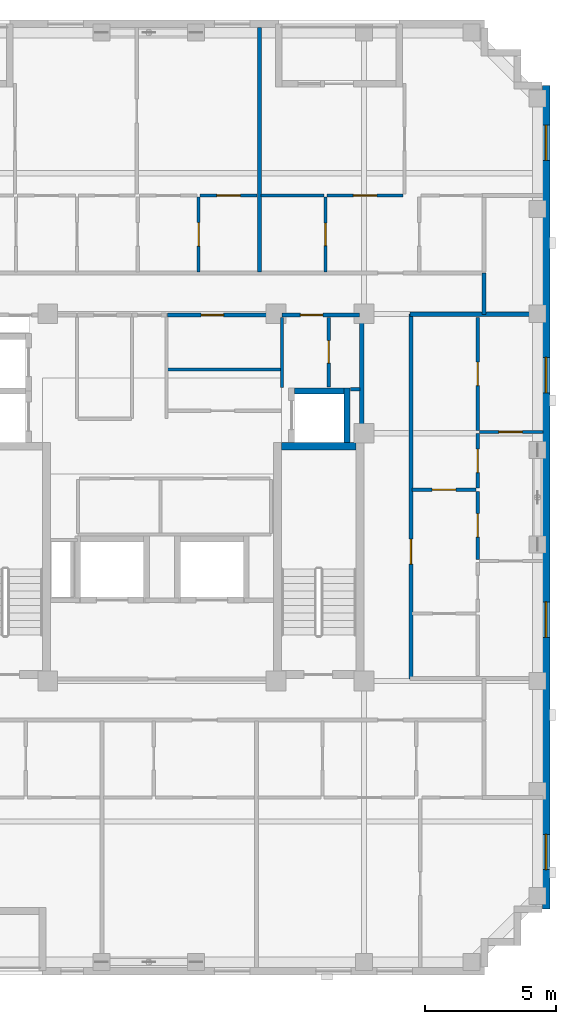
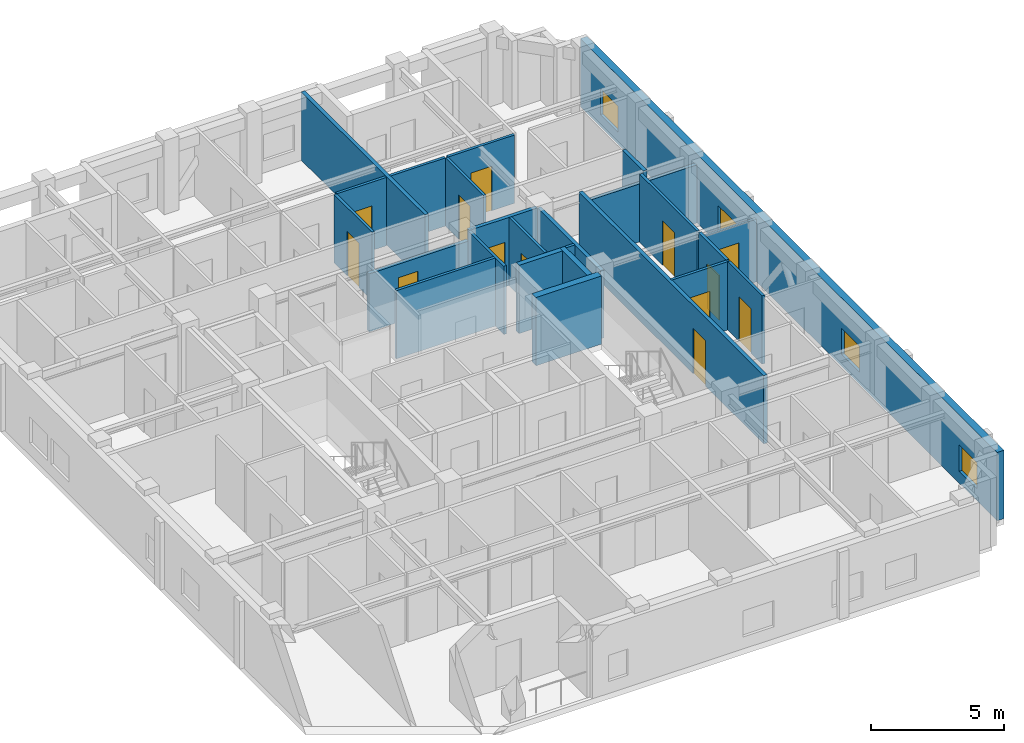
# One storey, part 6 of 11: 25 walls, 13 doors, 4 windows, 17 openings.
"""IFC4 building model written with IfcOpenShell, lengths in metres."""

from ifc_helpers import new_model, si_unit, derived_unit, direction, frame, frame_2d, origin, place, context, subcontext, project, spatial, rectangle, extrude, material, layer, layer_set, type_object, element, fill, save


model = new_model("IFC4")

# Units and contexts
model_context = context("Model", 3, precision=1e-05, world=origin(), true_north=direction((0.0, 1.0)))
body_context = subcontext(model_context, "Body", "Model", "MODEL_VIEW")
ifc_project = project(units=[si_unit("LENGTHUNIT", "METRE"), si_unit("AREAUNIT", "SQUARE_METRE"), si_unit("VOLUMEUNIT", "CUBIC_METRE"), si_unit("PLANEANGLEUNIT", "RADIAN"), si_unit("MASSUNIT", "GRAM", prefix="KILO"), derived_unit("THERMALTRANSMITTANCEUNIT", [(si_unit("MASSUNIT", "GRAM", prefix="KILO"), 1), (si_unit("TIMEUNIT", "SECOND"), -3), (si_unit("THERMODYNAMICTEMPERATUREUNIT", "KELVIN"), -1)])], contexts=[model_context])

# Site, building, storey
site_placement = place(None, origin())
site = spatial("IfcSite", under=ifc_project, at=site_placement, CompositionType="ELEMENT")
building_placement = place(site_placement, origin())
building = spatial("IfcBuilding", under=site, at=building_placement, Name="Korrvale Station Residences", CompositionType="ELEMENT")
storey_placement = place(building_placement, frame((0.0, 0.0, 254.699951171875)))
storey = spatial("IfcBuildingStorey", under=building, at=storey_placement, Name="L74", CompositionType="ELEMENT", Elevation=254.699951171875)

# Wall
ifc_material_1 = material(Name="Concrete C50/60", Category="concrete")
ifc_layer_1 = layer(ifc_material_1, 0.300048828125, Name="Concrete C50/60")
ifc_layer_set_1 = layer_set([ifc_layer_1], Name="Concrete C50/60")
wall_type_1 = type_object("IfcWallType", Name="WAL-CORE-300-C50", PredefinedType="SHEAR", material=ifc_layer_set_1)
wall_1_placement = place(storey_placement, frame((30.050048828125, 23.949951171875, 0.0), z_axis=(0.0, 0.0, 1.0), x_axis=(1.0, 0.0, 0.0)))
element("IfcWall", 1, at=wall_1_placement, inside=storey, type_object=wall_type_1, Name="L74 ST-2 Core Shear Wall North", PredefinedType="SHEAR", context=body_context, shape_type="SweptSolid", body=[
    extrude(rectangle(XDim=2.849853515625, YDim=0.300048828125, at=frame_2d((1.4248046875, 0.0))), origin(), (0.0, 0.0, 1.0), 3.14013671875),
])

# Wall, openings, windows
ifc_material_2 = material(Name="Precast concrete C45/55", Category="concrete")
ifc_layer_2 = layer(ifc_material_2, 0.300048828125, Name="Precast concrete C45/55")
ifc_layer_set_2 = layer_set([ifc_layer_2], Name="Precast concrete C45/55")
wall_type_2 = type_object("IfcWallType", Name="WAL-EXT-PC300", PredefinedType="SOLIDWALL", material=ifc_layer_set_2)
wall_2_placement = place(storey_placement, frame((40.14990234375, 37.699951171875, 0.0), z_axis=(0.0, 0.0, 1.0), x_axis=(0.0, -1.0, 0.0)))
wall_2 = element("IfcWall", 2, at=wall_2_placement, inside=storey, type_object=wall_type_2, Name="L74 East Exterior Precast Wall 1", PredefinedType="SOLIDWALL", context=body_context, shape_type="SweptSolid", body=[
    extrude(rectangle(XDim=31.39990234375, YDim=0.300048828125, at=frame_2d((15.699951171875, 0.0))), origin(), (0.0, 0.0, 1.0), 3.14013671875),
])
opening_1_placement = place(wall_2_placement, frame((28.5458984375, 0.0, 0.550048828125)))
opening_1 = element("IfcOpeningElement", 3, at=opening_1_placement, cuts=wall_2, Name="Opening W-10", PredefinedType="OPENING", context=body_context, shape_type="SweptSolid", body=[
    extrude(rectangle(XDim=1.35009765625, YDim=1.199951171875, at=frame_2d((0.675048828125, 0.60009765625))), frame((0.0, 0.16015625, 0.0), z_axis=(0.0, -1.0, 0.0), x_axis=(1.0, 0.0, 0.0)), (0.0, 0.0, 1.0), 0.320068359375),
])
opening_2_placement = place(wall_2_placement, frame((1.50390625, 0.0, 0.550048828125)))
opening_2 = element("IfcOpeningElement", 4, at=opening_2_placement, cuts=wall_2, Name="Opening W-10", PredefinedType="OPENING", context=body_context, shape_type="SweptSolid", body=[
    extrude(rectangle(XDim=1.35009765625, YDim=1.199951171875, at=frame_2d((0.675048828125, 0.60009765625))), frame((0.0, 0.16015625, 0.0), z_axis=(0.0, -1.0, 0.0), x_axis=(1.0, 0.0, 0.0)), (0.0, 0.0, 1.0), 0.320068359375),
])
opening_3_placement = place(wall_2_placement, frame((19.68310546875, 0.0, 0.550048828125)))
opening_3 = element("IfcOpeningElement", 5, at=opening_3_placement, cuts=wall_2, Name="Opening W-10", PredefinedType="OPENING", context=body_context, shape_type="SweptSolid", body=[
    extrude(rectangle(XDim=1.35009765625, YDim=1.199951171875, at=frame_2d((0.675048828125, 0.60009765625))), frame((0.0, 0.16015625, 0.0), z_axis=(0.0, -1.0, 0.0), x_axis=(1.0, 0.0, 0.0)), (0.0, 0.0, 1.0), 0.320068359375),
])
opening_4_placement = place(wall_2_placement, frame((10.366943359375, 0.0, 0.550048828125)))
opening_4 = element("IfcOpeningElement", 6, at=opening_4_placement, cuts=wall_2, Name="Opening W-10", PredefinedType="OPENING", context=body_context, shape_type="SweptSolid", body=[
    extrude(rectangle(XDim=1.35009765625, YDim=1.199951171875, at=frame_2d((0.675048828125, 0.60009765625))), frame((0.0, 0.16015625, 0.0), z_axis=(0.0, -1.0, 0.0), x_axis=(1.0, 0.0, 0.0)), (0.0, 0.0, 1.0), 0.320068359375),
])
ifc_material_3 = material(Name="Thermally broken aluminium frame with triple low-e glazing", Category="aluminium")
window_type = type_object("IfcWindowType", Name="WIN-W10", PartitioningType="SINGLE_PANEL", PredefinedType="WINDOW", material=ifc_material_3)
window_1_placement = place(opening_1_placement, origin())
window_1 = element("IfcWindow", 7, at=window_1_placement, inside=storey, type_object=window_type, Name="L74 Punched Window 05", OverallHeight=1.199951171875, OverallWidth=1.35009765625, PartitioningType="SINGLE_PANEL", PredefinedType="WINDOW", context=body_context, shape_type="SweptSolid", body=[
    extrude(rectangle(XDim=1.35009765625, YDim=1.199951171875, at=frame_2d((0.675048828125, 0.60009765625))), frame((0.0, 0.030029296875, 0.0), z_axis=(0.0, -1.0, 0.0), x_axis=(1.0, 0.0, 0.0)), (0.0, 0.0, 1.0), 0.06005859375),
])
fill(opening_1, window_1)
window_2_placement = place(opening_2_placement, origin())
window_2 = element("IfcWindow", 8, at=window_2_placement, inside=storey, type_object=window_type, Name="L74 Punched Window 11", OverallHeight=1.199951171875, OverallWidth=1.35009765625, PartitioningType="SINGLE_PANEL", PredefinedType="WINDOW", context=body_context, shape_type="SweptSolid", body=[
    extrude(rectangle(XDim=1.35009765625, YDim=1.199951171875, at=frame_2d((0.675048828125, 0.60009765625))), frame((0.0, 0.030029296875, 0.0), z_axis=(0.0, -1.0, 0.0), x_axis=(1.0, 0.0, 0.0)), (0.0, 0.0, 1.0), 0.06005859375),
])
fill(opening_2, window_2)
window_3_placement = place(opening_3_placement, origin())
window_3 = element("IfcWindow", 9, at=window_3_placement, inside=storey, type_object=window_type, Name="L74 Punched Window 16", OverallHeight=1.199951171875, OverallWidth=1.35009765625, PartitioningType="SINGLE_PANEL", PredefinedType="WINDOW", context=body_context, shape_type="SweptSolid", body=[
    extrude(rectangle(XDim=1.35009765625, YDim=1.199951171875, at=frame_2d((0.675048828125, 0.60009765625))), frame((0.0, 0.030029296875, 0.0), z_axis=(0.0, -1.0, 0.0), x_axis=(1.0, 0.0, 0.0)), (0.0, 0.0, 1.0), 0.06005859375),
])
fill(opening_3, window_3)
window_4_placement = place(opening_4_placement, origin())
window_4 = element("IfcWindow", 10, at=window_4_placement, inside=storey, type_object=window_type, Name="L74 Punched Window 17", OverallHeight=1.199951171875, OverallWidth=1.35009765625, PartitioningType="SINGLE_PANEL", PredefinedType="WINDOW", context=body_context, shape_type="SweptSolid", body=[
    extrude(rectangle(XDim=1.35009765625, YDim=1.199951171875, at=frame_2d((0.675048828125, 0.60009765625))), frame((0.0, 0.030029296875, 0.0), z_axis=(0.0, -1.0, 0.0), x_axis=(1.0, 0.0, 0.0)), (0.0, 0.0, 1.0), 0.06005859375),
])
fill(opening_4, window_4)

# Walls
ifc_material_4 = material(Name="Acoustic steel-stud gypsum board partition", Category="steel")
ifc_layer_3 = layer(ifc_material_4, 0.1201171875, Name="Acoustic steel-stud gypsum board partition")
ifc_layer_set_3 = layer_set([ifc_layer_3], Name="Acoustic steel-stud gypsum board partition")
wall_type_3 = type_object("IfcWallType", Name="WAL-PART-125", PredefinedType="PARTITIONING", material=ifc_layer_set_3)
wall_3_placement = place(storey_placement, frame((30.080078125, 26.179931640625, 0.0), z_axis=(0.0, 0.0, 1.0), x_axis=(0.0, 1.0, 0.0)))
element("IfcWall", 11, at=wall_3_placement, inside=storey, type_object=wall_type_3, Name="L74 Core Partition CW-CS-W", PredefinedType="PARTITIONING", context=body_context, shape_type="SweptSolid", body=[
    extrude(rectangle(XDim=2.68017578125, YDim=0.1201171875, at=frame_2d((1.340087890625, 0.0))), origin(), (0.0, 0.0, 1.0), 3.14013671875),
])
wall_4_placement = place(storey_placement, frame((32.679931640625, 26.1201171875, 0.0), z_axis=(0.0, 0.0, 1.0), x_axis=(1.0, 0.0, 0.0)))
element("IfcWall", 12, at=wall_4_placement, inside=storey, type_object=wall_type_3, Name="L74 Core Partition CW-CS-S", PredefinedType="PARTITIONING", context=body_context, shape_type="SweptSolid", body=[
    extrude(rectangle(XDim=0.380126953125, YDim=0.1201171875, at=frame_2d((0.18994140625, 0.0))), origin(), (0.0, 0.0, 1.0), 3.14013671875),
])

# Wall, opening, door
wall_5_placement = place(storey_placement, frame((31.860107421875, 26.199951171875, 0.0), z_axis=(0.0, 0.0, 1.0), x_axis=(0.0, 1.0, 0.0)))
wall_5 = element("IfcWall", 13, at=wall_5_placement, inside=storey, type_object=wall_type_3, Name="L74 Core Partition CW-CS-MID", PredefinedType="PARTITIONING", context=body_context, shape_type="SweptSolid", body=[
    extrude(rectangle(XDim=2.66015625, YDim=0.1201171875, at=frame_2d((1.330078125, 0.0))), origin(), (0.0, 0.0, 1.0), 3.14013671875),
])
opening_5_placement = place(wall_5_placement, frame((0.919921875, 0.0, 0.0)))
opening_5 = element("IfcOpeningElement", 14, at=opening_5_placement, cuts=wall_5, Name="Opening DB-860", PredefinedType="OPENING", context=body_context, shape_type="SweptSolid", body=[
    extrude(rectangle(XDim=0.860107421875, YDim=2.050048828125, at=frame_2d((0.43017578125, 1.02490234375))), frame((0.0, 0.070068359375, 0.0), z_axis=(0.0, -1.0, 0.0), x_axis=(1.0, 0.0, 0.0)), (0.0, 0.0, 1.0), 0.14013671875),
])
ifc_material_5 = material(Name="Moisture-resistant solid-core bathroom door", Category="timber")
door_type_1 = type_object("IfcDoorType", Name="DR-BATH-860", OperationType="NOTDEFINED", PredefinedType="DOOR", material=ifc_material_5)
door_1_placement = place(opening_5_placement, origin())
door_1 = element("IfcDoor", 15, at=door_1_placement, inside=storey, type_object=door_type_1, Name="L74 Metering Inner Door", OperationType="SINGLE_SWING_RIGHT", OverallHeight=2.050048828125, OverallWidth=0.860107421875, PredefinedType="DOOR", context=body_context, shape_type="SweptSolid", body=[
    extrude(rectangle(XDim=0.860107421875, YDim=2.050048828125, at=frame_2d((0.43017578125, 1.02490234375))), frame((0.0, 0.02490234375, 0.0), z_axis=(0.0, -1.0, 0.0), x_axis=(1.0, 0.0, 0.0)), (0.0, 0.0, 1.0), 0.050048828125),
])
fill(opening_5, door_1)

# Wall
wall_6_placement = place(storey_placement, frame((25.719970703125, 26.8798828125, 0.0), z_axis=(0.0, 0.0, 1.0), x_axis=(1.0, 0.0, 0.0)))
element("IfcWall", 16, at=wall_6_placement, inside=storey, type_object=wall_type_3, Name="L74 Core Partition CW-FPLE-H", PredefinedType="PARTITIONING", context=body_context, shape_type="SweptSolid", body=[
    extrude(rectangle(XDim=4.320068359375, YDim=0.1201171875, at=frame_2d((2.16015625, 0.0))), origin(), (0.0, 0.0, 1.0), 3.14013671875),
])

# Wall, opening, door
wall_7_placement = place(storey_placement, frame((26.89990234375, 30.60009765625, 0.0), z_axis=(0.0, 0.0, 1.0), x_axis=(0.0, 1.0, 0.0)))
wall_7 = element("IfcWall", 17, at=wall_7_placement, inside=storey, type_object=wall_type_3, Name="L74 Suite Partition U04-V45", PredefinedType="PARTITIONING", context=body_context, shape_type="SweptSolid", body=[
    extrude(rectangle(XDim=2.849853515625, YDim=0.1201171875, at=frame_2d((1.4248046875, 0.0))), origin(), (0.0, 0.0, 1.0), 3.14013671875),
])
opening_6_placement = place(wall_7_placement, frame((0.97509765625, 0.0, 0.0)))
opening_6 = element("IfcOpeningElement", 18, at=opening_6_placement, cuts=wall_7, Name="Opening DI-900", PredefinedType="OPENING", context=body_context, shape_type="SweptSolid", body=[
    extrude(rectangle(XDim=0.89990234375, YDim=2.050048828125, at=frame_2d((0.449951171875, 1.02490234375))), frame((0.0, 0.070068359375, 0.0), z_axis=(0.0, -1.0, 0.0), x_axis=(1.0, 0.0, 0.0)), (0.0, 0.0, 1.0), 0.14013671875),
])
ifc_material_6 = material(Name="Painted solid-core timber interior room door", Category="wood")
door_type_2 = type_object("IfcDoorType", Name="DR-INT-900", OperationType="NOTDEFINED", PredefinedType="DOOR", material=ifc_material_6)
door_2_placement = place(opening_6_placement, origin())
door_2 = element("IfcDoor", 19, at=door_2_placement, inside=storey, type_object=door_type_2, Name="L74 Apartment 2BR L74-U04 Wardrobe Storage Room Door", OperationType="SINGLE_SWING_LEFT", OverallHeight=2.050048828125, OverallWidth=0.89990234375, PredefinedType="DOOR", context=body_context, shape_type="SweptSolid", body=[
    extrude(rectangle(XDim=0.89990234375, YDim=2.050048828125, at=frame_2d((0.449951171875, 1.02490234375))), frame((0.0, 0.02490234375, 0.0), z_axis=(0.0, -1.0, 0.0), x_axis=(1.0, 0.0, 0.0)), (0.0, 0.0, 1.0), 0.050048828125),
])
fill(opening_6, door_2)

wall_8_placement = place(storey_placement, frame((26.9599609375, 33.510009765625, 0.0), z_axis=(0.0, 0.0, 1.0), x_axis=(1.0, 0.0, 0.0)))
wall_8 = element("IfcWall", 20, at=wall_8_placement, inside=storey, type_object=wall_type_3, Name="L74 Suite Partition U04-H59", PredefinedType="PARTITIONING", context=body_context, shape_type="SweptSolid", body=[
    extrude(rectangle(XDim=2.16015625, YDim=0.1201171875, at=frame_2d((1.080078125, 0.0))), origin(), (0.0, 0.0, 1.0), 3.14013671875),
])
opening_7_placement = place(wall_8_placement, frame((0.6298828125, 0.0, 0.0)))
opening_7 = element("IfcOpeningElement", 21, at=opening_7_placement, cuts=wall_8, Name="Opening DI-900", PredefinedType="OPENING", context=body_context, shape_type="SweptSolid", body=[
    extrude(rectangle(XDim=0.89990234375, YDim=2.050048828125, at=frame_2d((0.449951171875, 1.02490234375))), frame((0.0, 0.070068359375, 0.0), z_axis=(0.0, -1.0, 0.0), x_axis=(1.0, 0.0, 0.0)), (0.0, 0.0, 1.0), 0.14013671875),
])
door_3_placement = place(opening_7_placement, origin())
door_3 = element("IfcDoor", 22, at=door_3_placement, inside=storey, type_object=door_type_2, Name="L74 Apartment 2BR L74-U04 Utility and Laundry Room Door", OperationType="SINGLE_SWING_LEFT", OverallHeight=2.050048828125, OverallWidth=0.89990234375, PredefinedType="DOOR", context=body_context, shape_type="SweptSolid", body=[
    extrude(rectangle(XDim=0.89990234375, YDim=2.050048828125, at=frame_2d((0.449951171875, 1.02490234375))), frame((0.0, 0.02490234375, 0.0), z_axis=(0.0, -1.0, 0.0), x_axis=(1.0, 0.0, 0.0)), (0.0, 0.0, 1.0), 0.050048828125),
])
fill(opening_7, door_3)

wall_9_placement = place(storey_placement, frame((31.739990234375, 30.60009765625, 0.0), z_axis=(0.0, 0.0, 1.0), x_axis=(0.0, 1.0, 0.0)))
wall_9 = element("IfcWall", 23, at=wall_9_placement, inside=storey, type_object=wall_type_3, Name="L74 Suite Partition U05-V01", PredefinedType="PARTITIONING", context=body_context, shape_type="SweptSolid", body=[
    extrude(rectangle(XDim=2.849853515625, YDim=0.1201171875, at=frame_2d((1.4248046875, 0.0))), origin(), (0.0, 0.0, 1.0), 3.14013671875),
])
opening_8_placement = place(wall_9_placement, frame((0.9951171875, 0.0, 0.0)))
opening_8 = element("IfcOpeningElement", 24, at=opening_8_placement, cuts=wall_9, Name="Opening DB-860", PredefinedType="OPENING", context=body_context, shape_type="SweptSolid", body=[
    extrude(rectangle(XDim=0.860107421875, YDim=2.050048828125, at=frame_2d((0.43017578125, 1.02490234375))), frame((0.0, 0.070068359375, 0.0), z_axis=(0.0, -1.0, 0.0), x_axis=(1.0, 0.0, 0.0)), (0.0, 0.0, 1.0), 0.14013671875),
])
door_4_placement = place(opening_8_placement, origin())
door_4 = element("IfcDoor", 25, at=door_4_placement, inside=storey, type_object=door_type_1, Name="L74 Apartment 1BR L74-U05 Bathroom Door", OperationType="SINGLE_SWING_LEFT", OverallHeight=2.050048828125, OverallWidth=0.860107421875, PredefinedType="DOOR", context=body_context, shape_type="SweptSolid", body=[
    extrude(rectangle(XDim=0.860107421875, YDim=2.050048828125, at=frame_2d((0.43017578125, 1.02490234375))), frame((0.0, 0.02490234375, 0.0), z_axis=(0.0, -1.0, 0.0), x_axis=(1.0, 0.0, 0.0)), (0.0, 0.0, 1.0), 0.050048828125),
])
fill(opening_8, door_4)

# Wall
wall_10_placement = place(storey_placement, frame((29.280029296875, 33.510009765625, 0.0), z_axis=(0.0, 0.0, 1.0), x_axis=(1.0, 0.0, 0.0)))
element("IfcWall", 26, at=wall_10_placement, inside=storey, type_object=wall_type_3, Name="L74 Suite Partition U05-H03", PredefinedType="PARTITIONING", context=body_context, shape_type="SweptSolid", body=[
    extrude(rectangle(XDim=2.39990234375, YDim=0.1201171875, at=frame_2d((1.199951171875, 0.0))), origin(), (0.0, 0.0, 1.0), 3.14013671875),
])

# Wall, opening, door
wall_11_placement = place(storey_placement, frame((31.800048828125, 33.510009765625, 0.0), z_axis=(0.0, 0.0, 1.0), x_axis=(1.0, 0.0, 0.0)))
wall_11 = element("IfcWall", 27, at=wall_11_placement, inside=storey, type_object=wall_type_3, Name="L74 Suite Partition U05-H13", PredefinedType="PARTITIONING", context=body_context, shape_type="SweptSolid", body=[
    extrude(rectangle(XDim=2.889892578125, YDim=0.1201171875, at=frame_2d((1.44482421875, 0.0))), origin(), (0.0, 0.0, 1.0), 3.14013671875),
])
opening_9_placement = place(wall_11_placement, frame((0.9951171875, 0.0, 0.0)))
opening_9 = element("IfcOpeningElement", 28, at=opening_9_placement, cuts=wall_11, Name="Opening DI-900", PredefinedType="OPENING", context=body_context, shape_type="SweptSolid", body=[
    extrude(rectangle(XDim=0.89990234375, YDim=2.050048828125, at=frame_2d((0.449951171875, 1.02490234375))), frame((0.0, 0.070068359375, 0.0), z_axis=(0.0, -1.0, 0.0), x_axis=(1.0, 0.0, 0.0)), (0.0, 0.0, 1.0), 0.14013671875),
])
door_5_placement = place(opening_9_placement, origin())
door_5 = element("IfcDoor", 29, at=door_5_placement, inside=storey, type_object=door_type_2, Name="L74 Apartment 1BR L74-U05 Kitchen Door", OperationType="SINGLE_SWING_LEFT", OverallHeight=2.050048828125, OverallWidth=0.89990234375, PredefinedType="DOOR", context=body_context, shape_type="SweptSolid", body=[
    extrude(rectangle(XDim=0.89990234375, YDim=2.050048828125, at=frame_2d((0.449951171875, 1.02490234375))), frame((0.0, 0.02490234375, 0.0), z_axis=(0.0, -1.0, 0.0), x_axis=(1.0, 0.0, 0.0)), (0.0, 0.0, 1.0), 0.050048828125),
])
fill(opening_9, door_5)

wall_12_placement = place(storey_placement, frame((35.030029296875, 22.2900390625, 0.0), z_axis=(0.0, 0.0, 1.0), x_axis=(1.0, 0.0, 0.0)))
wall_12 = element("IfcWall", 30, at=wall_12_placement, inside=storey, type_object=wall_type_3, Name="L74 Suite Partition U08-H02", PredefinedType="PARTITIONING", context=body_context, shape_type="SweptSolid", body=[
    extrude(rectangle(XDim=2.449951171875, YDim=0.1201171875, at=frame_2d((1.22509765625, 0.0))), origin(), (0.0, 0.0, 1.0), 3.14013671875),
])
opening_10_placement = place(wall_12_placement, frame((0.77490234375, 0.0, 0.0)))
opening_10 = element("IfcOpeningElement", 31, at=opening_10_placement, cuts=wall_12, Name="Opening DI-900", PredefinedType="OPENING", context=body_context, shape_type="SweptSolid", body=[
    extrude(rectangle(XDim=0.89990234375, YDim=2.050048828125, at=frame_2d((0.449951171875, 1.02490234375))), frame((0.0, 0.070068359375, 0.0), z_axis=(0.0, -1.0, 0.0), x_axis=(1.0, 0.0, 0.0)), (0.0, 0.0, 1.0), 0.14013671875),
])
door_6_placement = place(opening_10_placement, origin())
door_6 = element("IfcDoor", 32, at=door_6_placement, inside=storey, type_object=door_type_2, Name="L74 Apartment 2BR L74-U08 Wardrobe Storage Room Door", OperationType="SINGLE_SWING_RIGHT", OverallHeight=2.050048828125, OverallWidth=0.89990234375, PredefinedType="DOOR", context=body_context, shape_type="SweptSolid", body=[
    extrude(rectangle(XDim=0.89990234375, YDim=2.050048828125, at=frame_2d((0.449951171875, 1.02490234375))), frame((0.0, 0.02490234375, 0.0), z_axis=(0.0, -1.0, 0.0), x_axis=(1.0, 0.0, 0.0)), (0.0, 0.0, 1.0), 0.050048828125),
])
fill(opening_10, door_6)

wall_13_placement = place(storey_placement, frame((37.5400390625, 22.35009765625, 0.0), z_axis=(0.0, 0.0, 1.0), x_axis=(0.0, 1.0, 0.0)))
wall_13 = element("IfcWall", 33, at=wall_13_placement, inside=storey, type_object=wall_type_3, Name="L74 Suite Partition U08-V04", PredefinedType="PARTITIONING", context=body_context, shape_type="SweptSolid", body=[
    extrude(rectangle(XDim=2.081787109375, YDim=0.1201171875, at=frame_2d((1.041015625, 0.0))), origin(), (0.0, 0.0, 1.0), 3.14013671875),
])
opening_11_placement = place(wall_13_placement, frame((0.591064453125, 0.0, 0.0)))
opening_11 = element("IfcOpeningElement", 34, at=opening_11_placement, cuts=wall_13, Name="Opening DI-900", PredefinedType="OPENING", context=body_context, shape_type="SweptSolid", body=[
    extrude(rectangle(XDim=0.89990234375, YDim=2.050048828125, at=frame_2d((0.449951171875, 1.02490234375))), frame((0.0, 0.070068359375, 0.0), z_axis=(0.0, -1.0, 0.0), x_axis=(1.0, 0.0, 0.0)), (0.0, 0.0, 1.0), 0.14013671875),
])
door_7_placement = place(opening_11_placement, origin())
door_7 = element("IfcDoor", 35, at=door_7_placement, inside=storey, type_object=door_type_2, Name="L74 Apartment 2BR L74-U08 Wardrobe Storage Room Door", OperationType="SINGLE_SWING_LEFT", OverallHeight=2.050048828125, OverallWidth=0.89990234375, PredefinedType="DOOR", context=body_context, shape_type="SweptSolid", body=[
    extrude(rectangle(XDim=0.89990234375, YDim=2.050048828125, at=frame_2d((0.449951171875, 1.02490234375))), frame((0.0, 0.02490234375, 0.0), z_axis=(0.0, -1.0, 0.0), x_axis=(1.0, 0.0, 0.0)), (0.0, 0.0, 1.0), 0.050048828125),
])
fill(opening_11, door_7)

wall_14_placement = place(storey_placement, frame((37.5400390625, 24.552001953125, 0.0), z_axis=(0.0, 0.0, 1.0), x_axis=(0.0, 1.0, 0.0)))
wall_14 = element("IfcWall", 36, at=wall_14_placement, inside=storey, type_object=wall_type_3, Name="L74 Suite Partition U08-V05", PredefinedType="PARTITIONING", context=body_context, shape_type="SweptSolid", body=[
    extrude(rectangle(XDim=4.30810546875, YDim=0.1201171875, at=frame_2d((2.154052734375, 0.0))), origin(), (0.0, 0.0, 1.0), 3.14013671875),
])
opening_12_placement = place(wall_14_placement, frame((1.7041015625, 0.0, 0.0)))
opening_12 = element("IfcOpeningElement", 37, at=opening_12_placement, cuts=wall_14, Name="Opening DI-900", PredefinedType="OPENING", context=body_context, shape_type="SweptSolid", body=[
    extrude(rectangle(XDim=0.89990234375, YDim=2.050048828125, at=frame_2d((0.449951171875, 1.02490234375))), frame((0.0, 0.070068359375, 0.0), z_axis=(0.0, -1.0, 0.0), x_axis=(1.0, 0.0, 0.0)), (0.0, 0.0, 1.0), 0.14013671875),
])
door_8_placement = place(opening_12_placement, origin())
door_8 = element("IfcDoor", 38, at=door_8_placement, inside=storey, type_object=door_type_2, Name="L74 Apartment 2BR L74-U08 Wardrobe Storage Room Door", OperationType="SINGLE_SWING_RIGHT", OverallHeight=2.050048828125, OverallWidth=0.89990234375, PredefinedType="DOOR", context=body_context, shape_type="SweptSolid", body=[
    extrude(rectangle(XDim=0.89990234375, YDim=2.050048828125, at=frame_2d((0.449951171875, 1.02490234375))), frame((0.0, 0.02490234375, 0.0), z_axis=(0.0, -1.0, 0.0), x_axis=(1.0, 0.0, 0.0)), (0.0, 0.0, 1.0), 0.050048828125),
])
fill(opening_12, door_8)

wall_15_placement = place(storey_placement, frame((37.5400390625, 19.637939453125, 0.0), z_axis=(0.0, 0.0, 1.0), x_axis=(0.0, 1.0, 0.0)))
wall_15 = element("IfcWall", 39, at=wall_15_placement, inside=storey, type_object=wall_type_3, Name="L74 Suite Partition U08-V24", PredefinedType="PARTITIONING", context=body_context, shape_type="SweptSolid", body=[
    extrude(rectangle(XDim=2.592041015625, YDim=0.1201171875, at=frame_2d((1.2958984375, 0.0))), origin(), (0.0, 0.0, 1.0), 3.14013671875),
])
opening_13_placement = place(wall_15_placement, frame((0.845947265625, 0.0, 0.0)))
opening_13 = element("IfcOpeningElement", 40, at=opening_13_placement, cuts=wall_15, Name="Opening DI-900", PredefinedType="OPENING", context=body_context, shape_type="SweptSolid", body=[
    extrude(rectangle(XDim=0.89990234375, YDim=2.050048828125, at=frame_2d((0.449951171875, 1.02490234375))), frame((0.0, 0.070068359375, 0.0), z_axis=(0.0, -1.0, 0.0), x_axis=(1.0, 0.0, 0.0)), (0.0, 0.0, 1.0), 0.14013671875),
])
door_9_placement = place(opening_13_placement, origin())
door_9 = element("IfcDoor", 41, at=door_9_placement, inside=storey, type_object=door_type_2, Name="L74 Apartment 2BR L74-U08 Kitchen Door", OperationType="SINGLE_SWING_LEFT", OverallHeight=2.050048828125, OverallWidth=0.89990234375, PredefinedType="DOOR", context=body_context, shape_type="SweptSolid", body=[
    extrude(rectangle(XDim=0.89990234375, YDim=2.050048828125, at=frame_2d((0.449951171875, 1.02490234375))), frame((0.0, 0.02490234375, 0.0), z_axis=(0.0, -1.0, 0.0), x_axis=(1.0, 0.0, 0.0)), (0.0, 0.0, 1.0), 0.050048828125),
])
fill(opening_13, door_9)

wall_16_placement = place(storey_placement, frame((37.60009765625, 24.491943359375, 0.0), z_axis=(0.0, 0.0, 1.0), x_axis=(1.0, 0.0, 0.0)))
wall_16 = element("IfcWall", 42, at=wall_16_placement, inside=storey, type_object=wall_type_3, Name="L74 Suite Partition U08-H45", PredefinedType="PARTITIONING", context=body_context, shape_type="SweptSolid", body=[
    extrude(rectangle(XDim=2.419921875, YDim=0.1201171875, at=frame_2d((1.2099609375, 0.0))), origin(), (0.0, 0.0, 1.0), 2.8779296875),
])
opening_14_placement = place(wall_16_placement, frame((0.7451171875, 0.0, 0.0)))
opening_14 = element("IfcOpeningElement", 43, at=opening_14_placement, cuts=wall_16, Name="Opening DI-900", PredefinedType="OPENING", context=body_context, shape_type="SweptSolid", body=[
    extrude(rectangle(XDim=0.89990234375, YDim=2.050048828125, at=frame_2d((0.449951171875, 1.02490234375))), frame((0.0, 0.070068359375, 0.0), z_axis=(0.0, -1.0, 0.0), x_axis=(1.0, 0.0, 0.0)), (0.0, 0.0, 1.0), 0.14013671875),
])
door_10_placement = place(opening_14_placement, origin())
door_10 = element("IfcDoor", 44, at=door_10_placement, inside=storey, type_object=door_type_2, Name="L74 Apartment 2BR L74-U08 Living and Dining Room Door", OperationType="SINGLE_SWING_LEFT", OverallHeight=2.050048828125, OverallWidth=0.89990234375, PredefinedType="DOOR", context=body_context, shape_type="SweptSolid", body=[
    extrude(rectangle(XDim=0.89990234375, YDim=2.050048828125, at=frame_2d((0.449951171875, 1.02490234375))), frame((0.0, 0.02490234375, 0.0), z_axis=(0.0, -1.0, 0.0), x_axis=(1.0, 0.0, 0.0)), (0.0, 0.0, 1.0), 0.050048828125),
])
fill(opening_14, door_10)

# Wall
ifc_material_7 = material(Name="Fire-rated twin-stud gypsum and mineral wool shaftwall assembly", Category="gypsum")
ifc_layer_4 = layer(ifc_material_7, 0.159912109375, Name="Fire-rated twin-stud gypsum and mineral wool shaftwall assembly")
ifc_layer_set_4 = layer_set([ifc_layer_4], Name="Fire-rated twin-stud gypsum and mineral wool shaftwall assembly")
wall_type_4 = type_object("IfcWallType", Name="WAL-PART-200", PredefinedType="PARTITIONING", material=ifc_layer_set_4)
wall_17_placement = place(storey_placement, frame((33.1201171875, 24.1201171875, 0.0), z_axis=(0.0, 0.0, 1.0), x_axis=(0.0, 1.0, 0.0)))
element("IfcWall", 45, at=wall_17_placement, inside=storey, type_object=wall_type_4, Name="L74 Core Partition CW-E-N", PredefinedType="PARTITIONING", context=body_context, shape_type="SweptSolid", body=[
    extrude(rectangle(XDim=4.759765625, YDim=0.159912109375, at=frame_2d((2.3798828125, 0.0))), origin(), (0.0, 0.0, 1.0), 3.14013671875),
])

# Wall, opening, door
wall_18_placement = place(storey_placement, frame((30.080078125, 28.949951171875, 0.0), z_axis=(0.0, 0.0, 1.0), x_axis=(1.0, 0.0, 0.0)))
wall_18 = element("IfcWall", 46, at=wall_18_placement, inside=storey, type_object=wall_type_4, Name="L74 Core Partition CW-CS-N", PredefinedType="PARTITIONING", context=body_context, shape_type="SweptSolid", body=[
    extrude(rectangle(XDim=2.9599609375, YDim=0.159912109375, at=frame_2d((1.47998046875, 0.0))), origin(), (0.0, 0.0, 1.0), 3.14013671875),
])
opening_15_placement = place(wall_18_placement, frame((0.695068359375, 0.0, 0.0)))
opening_15 = element("IfcOpeningElement", 47, at=opening_15_placement, cuts=wall_18, Name="Opening DB-860", PredefinedType="OPENING", context=body_context, shape_type="SweptSolid", body=[
    extrude(rectangle(XDim=0.860107421875, YDim=2.050048828125, at=frame_2d((0.43017578125, 1.02490234375))), frame((0.0, 0.08984375, 0.0), z_axis=(0.0, -1.0, 0.0), x_axis=(1.0, 0.0, 0.0)), (0.0, 0.0, 1.0), 0.179931640625),
])
door_11_placement = place(opening_15_placement, origin())
door_11 = element("IfcDoor", 48, at=door_11_placement, inside=storey, type_object=door_type_1, Name="L74 Housekeeping Supply Door", OperationType="SINGLE_SWING_LEFT", OverallHeight=2.050048828125, OverallWidth=0.860107421875, PredefinedType="DOOR", context=body_context, shape_type="SweptSolid", body=[
    extrude(rectangle(XDim=0.860107421875, YDim=2.050048828125, at=frame_2d((0.43017578125, 1.02490234375))), frame((0.0, 0.02490234375, 0.0), z_axis=(0.0, -1.0, 0.0), x_axis=(1.0, 0.0, 0.0)), (0.0, 0.0, 1.0), 0.050048828125),
])
fill(opening_15, door_11)

wall_19_placement = place(storey_placement, frame((25.719970703125, 28.949951171875, 0.0), z_axis=(0.0, 0.0, 1.0), x_axis=(1.0, 0.0, 0.0)))
wall_19 = element("IfcWall", 49, at=wall_19_placement, inside=storey, type_object=wall_type_4, Name="L74 Core Partition CW-FPLE-N", PredefinedType="PARTITIONING", context=body_context, shape_type="SweptSolid", body=[
    extrude(rectangle(XDim=4.320068359375, YDim=0.159912109375, at=frame_2d((2.16015625, 0.0))), origin(), (0.0, 0.0, 1.0), 2.66796875),
])
opening_16_placement = place(wall_19_placement, frame((1.27001953125, 0.0, 0.0)))
opening_16 = element("IfcOpeningElement", 50, at=opening_16_placement, cuts=wall_19, Name="Opening DB-860", PredefinedType="OPENING", context=body_context, shape_type="SweptSolid", body=[
    extrude(rectangle(XDim=0.860107421875, YDim=2.050048828125, at=frame_2d((0.43017578125, 1.02490234375))), frame((0.0, 0.08984375, 0.0), z_axis=(0.0, -1.0, 0.0), x_axis=(1.0, 0.0, 0.0)), (0.0, 0.0, 1.0), 0.179931640625),
])
door_12_placement = place(opening_16_placement, origin())
door_12 = element("IfcDoor", 51, at=door_12_placement, inside=storey, type_object=door_type_1, Name="L74 Luggage Store Door", OperationType="SINGLE_SWING_RIGHT", OverallHeight=2.050048828125, OverallWidth=0.860107421875, PredefinedType="DOOR", context=body_context, shape_type="SweptSolid", body=[
    extrude(rectangle(XDim=0.860107421875, YDim=2.050048828125, at=frame_2d((0.43017578125, 1.02490234375))), frame((0.0, 0.02490234375, 0.0), z_axis=(0.0, -1.0, 0.0), x_axis=(1.0, 0.0, 0.0)), (0.0, 0.0, 1.0), 0.050048828125),
])
fill(opening_16, door_12)

# Walls
wall_20_placement = place(storey_placement, frame((37.780029296875, 28.97998046875, 0.0), z_axis=(0.0, 0.0, 1.0), x_axis=(0.0, 1.0, 0.0)))
element("IfcWall", 52, at=wall_20_placement, inside=storey, type_object=wall_type_4, Name="L74 Corridor North East Cap", PredefinedType="PARTITIONING", context=body_context, shape_type="SweptSolid", body=[
    extrude(rectangle(XDim=1.580078125, YDim=0.159912109375, at=frame_2d((0.7900390625, 0.0))), origin(), (0.0, 0.0, 1.0), 3.14013671875),
])
wall_21_placement = place(storey_placement, frame((34.949951171875, 28.97998046875, 0.0), z_axis=(0.0, 0.0, 1.0), x_axis=(1.0, 0.0, 0.0)))
element("IfcWall", 53, at=wall_21_placement, inside=storey, type_object=wall_type_4, Name="L74 East Wing North Corridor Wall", PredefinedType="PARTITIONING", context=body_context, shape_type="SweptSolid", body=[
    extrude(rectangle(XDim=5.070068359375, YDim=0.159912109375, at=frame_2d((2.53515625, 0.0))), origin(), (0.0, 0.0, 1.0), 2.66796875),
])
wall_22_placement = place(storey_placement, frame((29.219970703125, 30.60009765625, 0.0), z_axis=(0.0, 0.0, 1.0), x_axis=(0.0, 1.0, 0.0)))
element("IfcWall", 54, at=wall_22_placement, inside=storey, type_object=wall_type_4, Name="L74 Demising Wall U05-W", PredefinedType="PARTITIONING", context=body_context, shape_type="SweptSolid", body=[
    extrude(rectangle(XDim=9.31982421875, YDim=0.159912109375, at=frame_2d((4.659912109375, 0.0))), origin(), (0.0, 0.0, 1.0), 3.14013671875),
])

# Wall, opening, door
wall_23_placement = place(storey_placement, frame((34.989990234375, 15.070068359375, 0.0), z_axis=(0.0, 0.0, 1.0), x_axis=(0.0, 1.0, 0.0)))
wall_23 = element("IfcWall", 55, at=wall_23_placement, inside=storey, type_object=wall_type_4, Name="L74 Rated Corridor Wall E", PredefinedType="PARTITIONING", context=body_context, shape_type="SweptSolid", body=[
    extrude(rectangle(XDim=13.929931640625, YDim=0.159912109375, at=frame_2d((6.96484375, 0.0))), origin(), (0.0, 0.0, 1.0), 3.14013671875),
])
opening_17_placement = place(wall_23_placement, frame((4.385009765625, 0.0, 0.0)))
opening_17 = element("IfcOpeningElement", 56, at=opening_17_placement, cuts=wall_23, Name="Opening UD-950", PredefinedType="OPENING", context=body_context, shape_type="SweptSolid", body=[
    extrude(rectangle(XDim=0.949951171875, YDim=2.10009765625, at=frame_2d((0.47509765625, 1.050048828125))), frame((0.0, 0.08984375, 0.0), z_axis=(0.0, -1.0, 0.0), x_axis=(1.0, 0.0, 0.0)), (0.0, 0.0, 1.0), 0.179931640625),
])
ifc_material_8 = material(Name="Solid-core acoustic oak apartment entrance door", Category="timber")
door_type_3 = type_object("IfcDoorType", Name="DR-UNIT-950", OperationType="NOTDEFINED", PredefinedType="DOOR", material=ifc_material_8)
door_13_placement = place(opening_17_placement, origin())
door_13 = element("IfcDoor", 57, at=door_13_placement, inside=storey, type_object=door_type_3, Name="L74 Apartment L74-U08 Entrance Door", OperationType="SINGLE_SWING_LEFT", OverallHeight=2.10009765625, OverallWidth=0.949951171875, PredefinedType="DOOR", context=body_context, shape_type="SweptSolid", body=[
    extrude(rectangle(XDim=0.949951171875, YDim=2.10009765625, at=frame_2d((0.47509765625, 1.050048828125))), frame((0.0, 0.02490234375, 0.0), z_axis=(0.0, -1.0, 0.0), x_axis=(1.0, 0.0, 0.0)), (0.0, 0.0, 1.0), 0.050048828125),
])
fill(opening_17, door_13)

# Walls
ifc_layer_5 = layer(ifc_material_1, 0.219970703125, Name="Concrete C50/60")
ifc_layer_set_5 = layer_set([ifc_layer_5], Name="Concrete C50/60")
wall_type_5 = type_object("IfcWallType", Name="WAL-SHAFT-220-C50", PredefinedType="SHEAR", material=ifc_layer_set_5)
wall_24_placement = place(storey_placement, frame((30.550048828125, 26.06005859375, 0.0), z_axis=(0.0, 0.0, 1.0), x_axis=(1.0, 0.0, 0.0)))
element("IfcWall", 58, at=wall_24_placement, inside=storey, type_object=wall_type_5, Name="L74 Elevator PH-3 Hoistway Wall North", PredefinedType="SHEAR", context=body_context, shape_type="SweptSolid", body=[
    extrude(rectangle(XDim=1.89990234375, YDim=0.219970703125, at=frame_2d((0.949951171875, 0.0))), origin(), (0.0, 0.0, 1.0), 3.14013671875),
])
wall_25_placement = place(storey_placement, frame((32.56005859375, 24.10009765625, 0.0), z_axis=(0.0, 0.0, 1.0), x_axis=(0.0, 1.0, 0.0)))
element("IfcWall", 59, at=wall_25_placement, inside=storey, type_object=wall_type_5, Name="L74 Elevator PH-3 Hoistway Wall East", PredefinedType="SHEAR", context=body_context, shape_type="SweptSolid", body=[
    extrude(rectangle(XDim=2.06982421875, YDim=0.219970703125, at=frame_2d((1.034912109375, 0.0))), origin(), (0.0, 0.0, 1.0), 3.14013671875),
])

save(model, "model.ifc")
